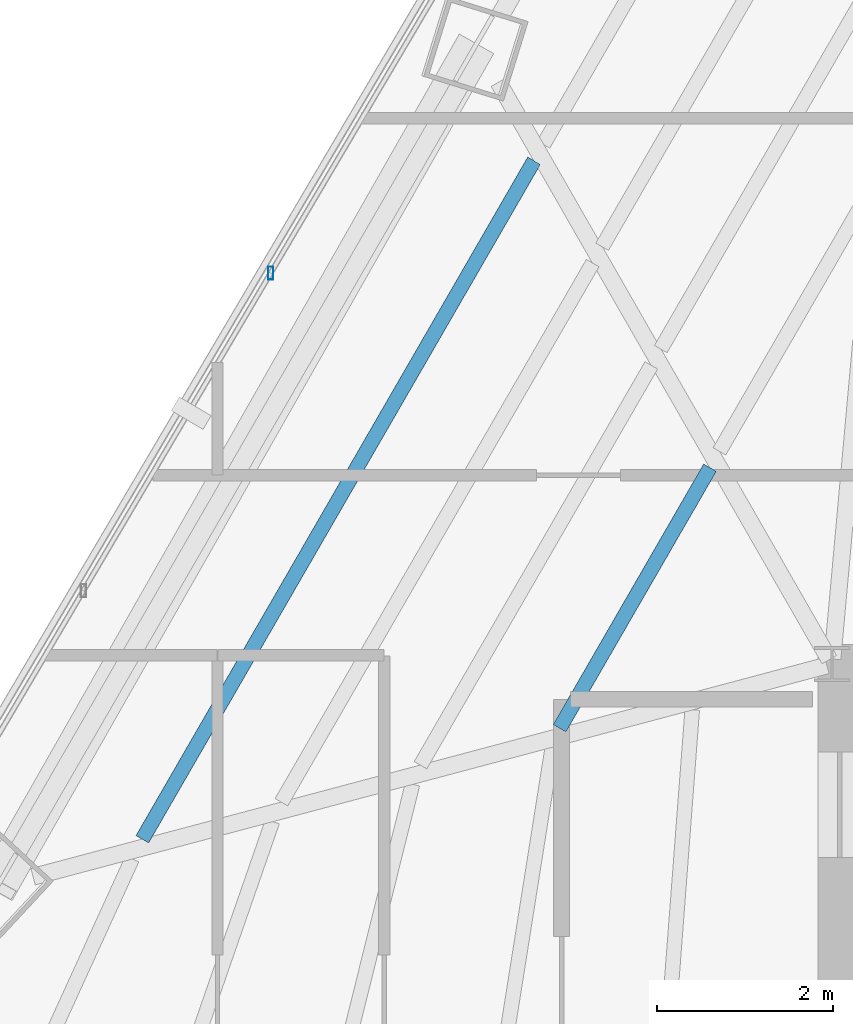
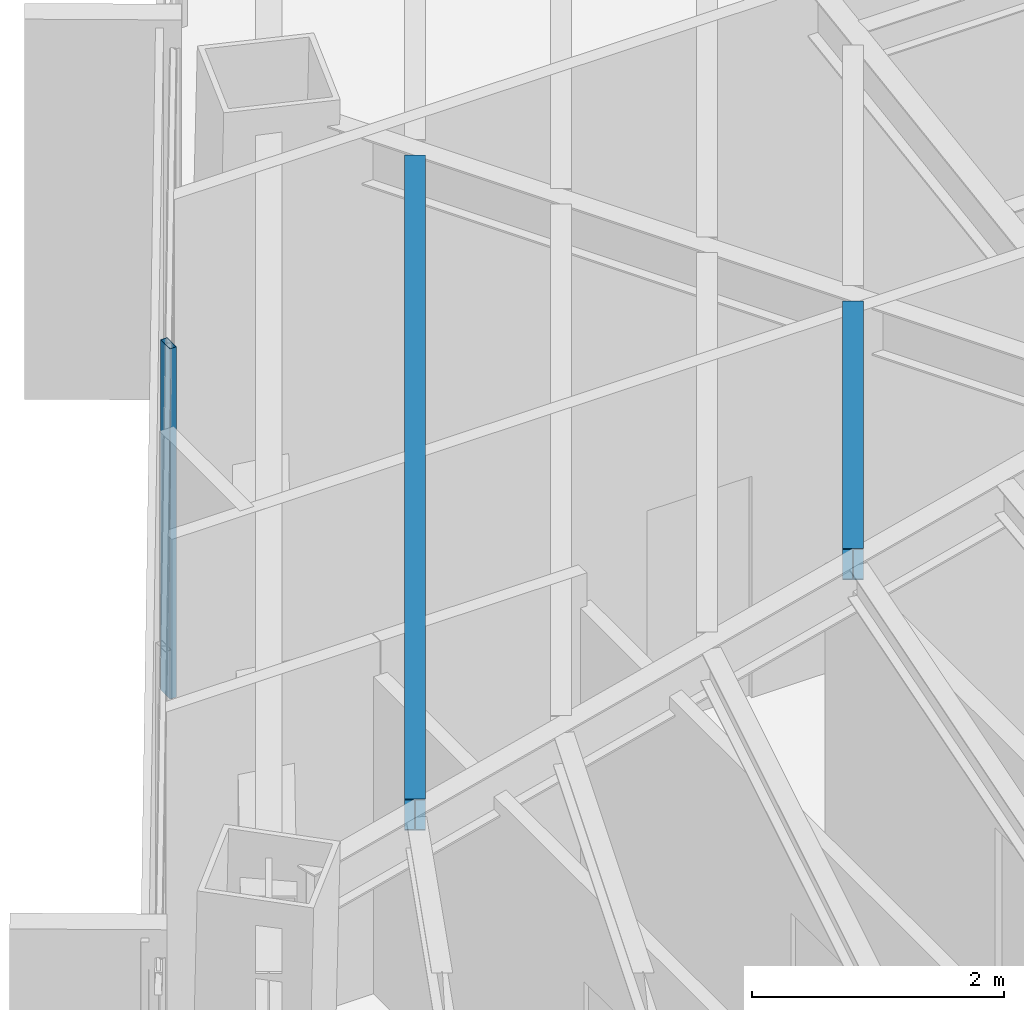
# One storey, part 15 of 41: 2 beams, 1 member, 1 element without a shape of its own.
"""IFC4 building model written with IfcOpenShell, lengths in metres."""

from ifc_helpers import new_model, si_unit, direction, frame, origin, origin_2d, place, context, subcontext, project, spatial, hollow_rectangle, i_section, extrude, source, transform, mapped, material, material_profile, profile_set, type_object, type_shapes, element, aggregate, save


model = new_model("IFC4")

# Units and contexts
model_context = context("Model", 3, precision=1e-05, world=origin(), true_north=direction((0.0, 1.0)))
body_context = subcontext(model_context, "Body", "Model", "MODEL_VIEW")
ifc_project = project(units=[si_unit("LENGTHUNIT", "METRE"), si_unit("AREAUNIT", "SQUARE_METRE"), si_unit("VOLUMEUNIT", "CUBIC_METRE"), si_unit("PLANEANGLEUNIT", "RADIAN"), si_unit("MASSUNIT", "GRAM", prefix="KILO")], contexts=[model_context])

# Site, building, storey
site_placement = place(None, origin())
site = spatial("IfcSite", under=ifc_project, at=site_placement, CompositionType="ELEMENT")
building_placement = place(site_placement, origin())
building = spatial("IfcBuilding", under=site, at=building_placement, Name="Caelisora Broadcast Tower", CompositionType="ELEMENT")
storey_placement = place(building_placement, frame((0.0, 0.0, 162.14990234375)))
storey = spatial("IfcBuildingStorey", under=building, at=storey_placement, Name="L42", CompositionType="ELEMENT", Elevation=162.14990234375)

# Beams
ifc_material_1 = material(Name="Steel Grade 350 (AS/NZS 3679.1)", Category="steel")
ifc_material_profile_1 = material_profile(ifc_material_1, i_section(OverallWidth=0.166015625, OverallDepth=0.30712890625, WebThickness=0.006591796875, FlangeThickness=0.01171875, at=origin_2d()), Name="Steel Grade 350 (AS/NZS 3679.1)")
ifc_profile_set_1 = profile_set([ifc_material_profile_1], Name="Steel Grade 350 (AS/NZS 3679.1)")
beam_type = type_object("IfcBeamType", Name="SB03", PredefinedType="JOIST", material=ifc_profile_set_1)
shared_shape_1 = source(origin(), body_context, "Body", "SweptSolid", [
    extrude(i_section(OverallWidth=0.166015625, OverallDepth=0.30712890625, WebThickness=0.006591796875, FlangeThickness=0.01171875, at=origin_2d()), origin(), (0.0, 0.0, 1.0), 3.426025390625),
])
beam_1_placement = place(storey_placement, frame((29.110107421875, 32.23779296875, 3.24658203125), z_axis=(-0.499971255219, -0.866041998956, 0.0), x_axis=(0.866041998956, -0.499971255219, 0.0)))
element("IfcBeam", 1, at=beam_1_placement, inside=storey, type_object=beam_type, Name="L42 beam SB03", PredefinedType="JOIST", context=body_context, shape_type="MappedRepresentation", body=[
    mapped(shared_shape_1, transform((0.0, 0.0, 0.0), scale=1.0)),
])
shared_shape_2 = source(origin(), body_context, "Body", "SweptSolid", [
    extrude(i_section(OverallWidth=0.166015625, OverallDepth=0.30712890625, WebThickness=0.006591796875, FlangeThickness=0.01171875, at=origin_2d()), origin(), (0.0, 0.0, 1.0), 8.923828125),
])
type_shapes(beam_type, [shared_shape_1, shared_shape_2])
beam_2_placement = place(storey_placement, frame((27.106201171875, 35.734130859375, 3.24658203125), z_axis=(-0.499999532765, -0.866025673543, 0.0), x_axis=(0.866025673543, -0.499999532765, 0.0)))
element("IfcBeam", 2, at=beam_2_placement, inside=storey, type_object=beam_type, Name="L42 beam SB03", PredefinedType="JOIST", context=body_context, shape_type="MappedRepresentation", body=[
    mapped(shared_shape_2, transform((0.0, 0.0, 0.0), scale=1.0)),
])

# Curtain wall, member
ifc_material_2 = material(Name="Unitised Aluminium Insulated Shadow-Box Spandrel Curtain Wall", Category="aluminium")
curtain_wall_type = type_object("IfcCurtainWallType", Name="CW-SP2", PredefinedType="NOTDEFINED", material=ifc_material_2)
curtain_wall_placement = place(storey_placement, origin())
curtain_wall = element("IfcCurtainWall", 3, at=curtain_wall_placement, inside=storey, type_object=curtain_wall_type, Name="L42 curtain wall CW-SP2", PredefinedType="NOTDEFINED")
ifc_material_3 = material(Name="Aluminium 6063-T6 Anodised Terracotta Bronze", Category="aluminium")
ifc_material_profile_2 = material_profile(ifc_material_3, hollow_rectangle(XDim=0.06005859375, YDim=0.14990234375, WallThickness=0.00341796875, at=origin_2d()), Name="Aluminium 6063-T6 Anodised Terracotta Bronze")
ifc_profile_set_2 = profile_set([ifc_material_profile_2], Name="Aluminium 6063-T6 Anodised Terracotta Bronze")
member_type = type_object("IfcMemberType", Name="CWM-03", PredefinedType="MULLION", material=ifc_profile_set_2)
shared_shape_3 = source(origin(), body_context, "Body", "SweptSolid", [
    extrude(hollow_rectangle(XDim=0.06005859375, YDim=0.14990234375, WallThickness=0.00341796875, at=origin_2d()), origin(), (0.0, 0.0, 1.0), 3.400146484375),
])
type_shapes(member_type, [shared_shape_3])
member_placement = place(storey_placement, frame((24.106201171875, 34.45458984375, 0.0), z_axis=(0.0, 0.0, 1.0), x_axis=(1.0, 0.0, 0.0)))
member = element("IfcMember", 4, at=member_placement, type_object=member_type, Name="L42-CW-B10 mullion #2", PredefinedType="MULLION", context=body_context, shape_type="MappedRepresentation", body=[
    mapped(shared_shape_3, transform((0.0, 0.0, 0.0), scale=1.0)),
])
aggregate(curtain_wall, [member])

save(model, "model.ifc")
